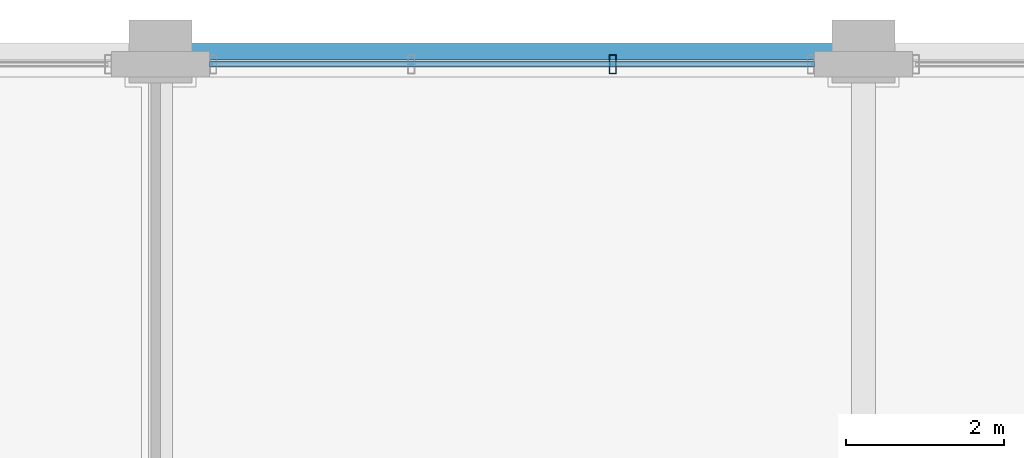
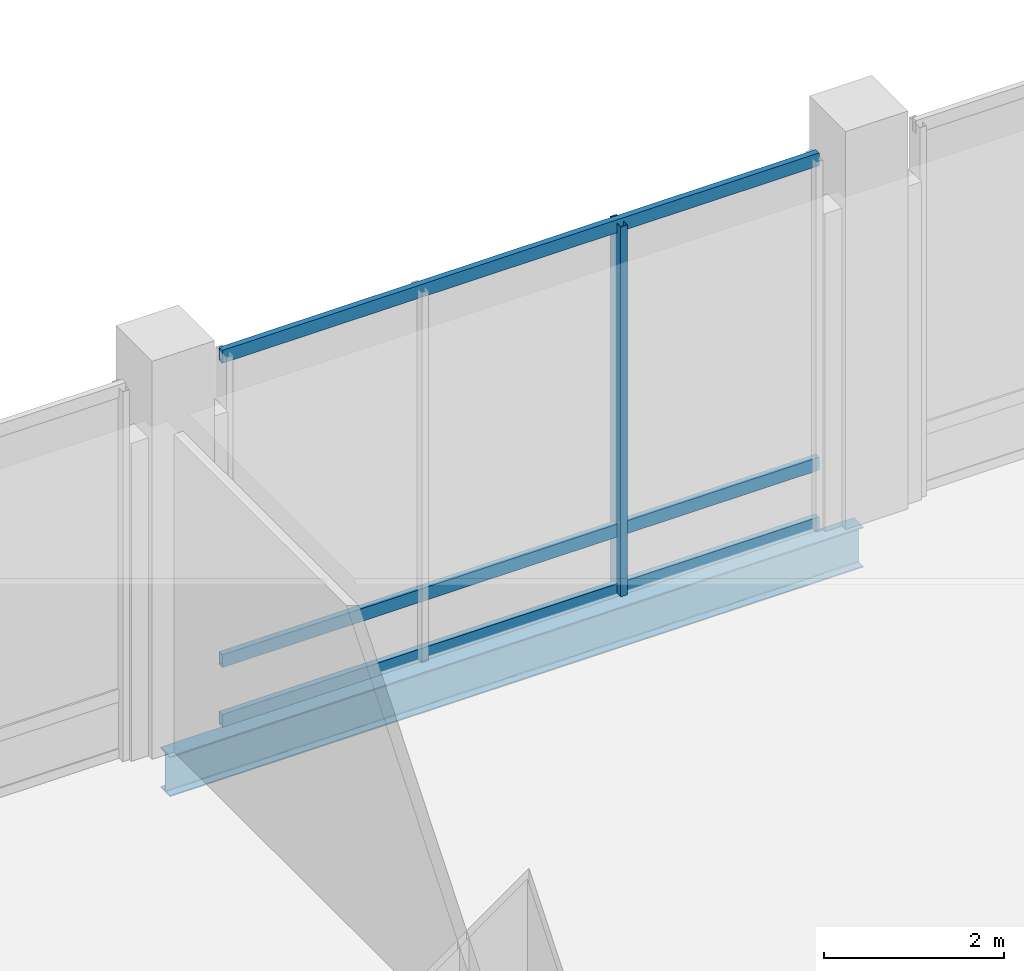
# One storey, part 15 of 35: 4 members, 1 beam, 1 element without a shape of its own.
"""IFC4 building model written with IfcOpenShell, lengths in metres."""

from ifc_helpers import new_model, si_unit, direction, frame, origin, origin_2d, place, context, subcontext, project, spatial, hollow_rectangle, i_section, extrude, material, material_profile, profile_set, type_object, element, aggregate, save


model = new_model("IFC4")

# Units and contexts
model_context = context("Model", 3, precision=1e-05, world=origin(), true_north=direction((0.0, 1.0)))
body_context = subcontext(model_context, "Body", "Model", "MODEL_VIEW")
ifc_project = project(units=[si_unit("LENGTHUNIT", "METRE"), si_unit("AREAUNIT", "SQUARE_METRE"), si_unit("VOLUMEUNIT", "CUBIC_METRE"), si_unit("PLANEANGLEUNIT", "RADIAN"), si_unit("MASSUNIT", "GRAM", prefix="KILO")], contexts=[model_context])

# Site, building, storey
site_placement = place(None, origin())
site = spatial("IfcSite", under=ifc_project, at=site_placement, CompositionType="ELEMENT")
building_placement = place(site_placement, origin())
building = spatial("IfcBuilding", under=site, at=building_placement, Name="Punatoya Terracotta Tower", CompositionType="ELEMENT")
storey_placement = place(building_placement, frame((0.0, 0.0, 16.800048828125)))
storey = spatial("IfcBuildingStorey", under=building, at=storey_placement, Name="L03", CompositionType="ELEMENT", Elevation=16.800048828125)

# Beam
ifc_material_1 = material(Name="Steel S355", Category="steel")
ifc_material_profile_1 = material_profile(ifc_material_1, i_section(OverallWidth=0.2099609375, OverallDepth=0.550048828125, WebThickness=0.010986328125, FlangeThickness=0.01708984375, FilletRadius=0.01806640625, at=origin_2d()))
ifc_profile_set_1 = profile_set([ifc_material_profile_1], Name="Steel S355")
beam_type = type_object("IfcBeamType", Name="BM-SPN-550", PredefinedType="SPANDREL", material=ifc_profile_set_1)
beam_placement = place(storey_placement, frame((19.10009765625, 25.0, -0.554931640625), z_axis=(1.0, 0.0, 0.0), x_axis=(0.0, 1.0, 0.0)))
element("IfcBeam", 1, at=beam_placement, inside=storey, type_object=beam_type, Name="BM-L03-HE1", PredefinedType="SPANDREL", context=body_context, shape_type="SweptSolid", body=[
    extrude(i_section(OverallWidth=0.2099609375, OverallDepth=0.550048828125, WebThickness=0.010986328125, FlangeThickness=0.01708984375, FilletRadius=0.01806640625, at=origin_2d()), origin(), (0.0, 0.0, 1.0), 8.89990234375),
])

# Curtain wall, members
ifc_material_2 = material(Name="Aluminium 6063-T6 + Double Low-E Glass", Category="aluminium")
curtain_wall_type = type_object("IfcCurtainWallType", Name="CW-POD", PredefinedType="NOTDEFINED", material=ifc_material_2)
curtain_wall_placement = place(storey_placement, origin())
curtain_wall = element("IfcCurtainWall", 2, at=curtain_wall_placement, inside=storey, type_object=curtain_wall_type, Name="L03 Curtain Wall CWP-L03-N6", PredefinedType="NOTDEFINED")
ifc_material_3 = material(Name="Aluminium 6063-T6", Category="aluminium")
ifc_material_profile_2 = material_profile(ifc_material_3, hollow_rectangle(XDim=0.0849609375, YDim=0.239990234375, WallThickness=0.0048828125, at=origin_2d()))
ifc_profile_set_2 = profile_set([ifc_material_profile_2], Name="Aluminium 6063-T6")
member_type_1 = type_object("IfcMemberType", Name="CW-MUL-POD", PredefinedType="MULLION", material=ifc_profile_set_2)
member_1_placement = place(storey_placement, frame((24.82666015625, 24.840087890625, 0.0), z_axis=(0.0, 0.0, 1.0), x_axis=(1.0, 0.0, 0.0)))
member_1 = element("IfcMember", 3, at=member_1_placement, type_object=member_type_1, Name="CWP-L03-N6 Mullion 01", PredefinedType="MULLION", context=body_context, shape_type="SweptSolid", body=[
    extrude(hollow_rectangle(XDim=0.0849609375, YDim=0.239990234375, WallThickness=0.0048828125, at=origin_2d()), origin(), (0.0, 0.0, 1.0), 5.02001953125),
])
ifc_material_profile_3 = material_profile(ifc_material_3, hollow_rectangle(XDim=0.074951171875, YDim=0.175048828125, WallThickness=0.00439453125, at=origin_2d()))
ifc_profile_set_3 = profile_set([ifc_material_profile_3], Name="Aluminium 6063-T6")
member_type_2 = type_object("IfcMemberType", Name="CW-TRN-POD", PredefinedType="USERDEFINED", material=ifc_profile_set_3)
member_2_placement = place(storey_placement, frame((27.3798828125, 24.840087890625, 0.0400390625), z_axis=(-1.0, 0.0, 0.0), x_axis=(0.0, -1.0, 0.0)))
member_2 = element("IfcMember", 4, at=member_2_placement, type_object=member_type_2, Name="CWP-L03-N6 Transom 1", ObjectType="TRANSOM", PredefinedType="USERDEFINED", context=body_context, shape_type="SweptSolid", body=[
    extrude(hollow_rectangle(XDim=0.074951171875, YDim=0.175048828125, WallThickness=0.00439453125, at=origin_2d()), origin(), (0.0, 0.0, 1.0), 7.659912109375),
])
member_3_placement = place(storey_placement, frame((27.3798828125, 24.840087890625, 0.849853515625), z_axis=(-1.0, 0.0, 0.0), x_axis=(0.0, -1.0, 0.0)))
member_3 = element("IfcMember", 5, at=member_3_placement, type_object=member_type_2, Name="CWP-L03-N6 Transom 2", ObjectType="TRANSOM", PredefinedType="USERDEFINED", context=body_context, shape_type="SweptSolid", body=[
    extrude(hollow_rectangle(XDim=0.074951171875, YDim=0.175048828125, WallThickness=0.00439453125, at=origin_2d()), origin(), (0.0, 0.0, 1.0), 7.659912109375),
])
member_4_placement = place(storey_placement, frame((27.3798828125, 24.840087890625, 4.97998046875), z_axis=(-1.0, 0.0, 0.0), x_axis=(0.0, -1.0, 0.0)))
member_4 = element("IfcMember", 6, at=member_4_placement, type_object=member_type_2, Name="CWP-L03-N6 Transom 3", ObjectType="TRANSOM", PredefinedType="USERDEFINED", context=body_context, shape_type="SweptSolid", body=[
    extrude(hollow_rectangle(XDim=0.074951171875, YDim=0.175048828125, WallThickness=0.00439453125, at=origin_2d()), origin(), (0.0, 0.0, 1.0), 7.659912109375),
])
aggregate(curtain_wall, [member_1, member_2, member_3, member_4])

save(model, "model.ifc")
